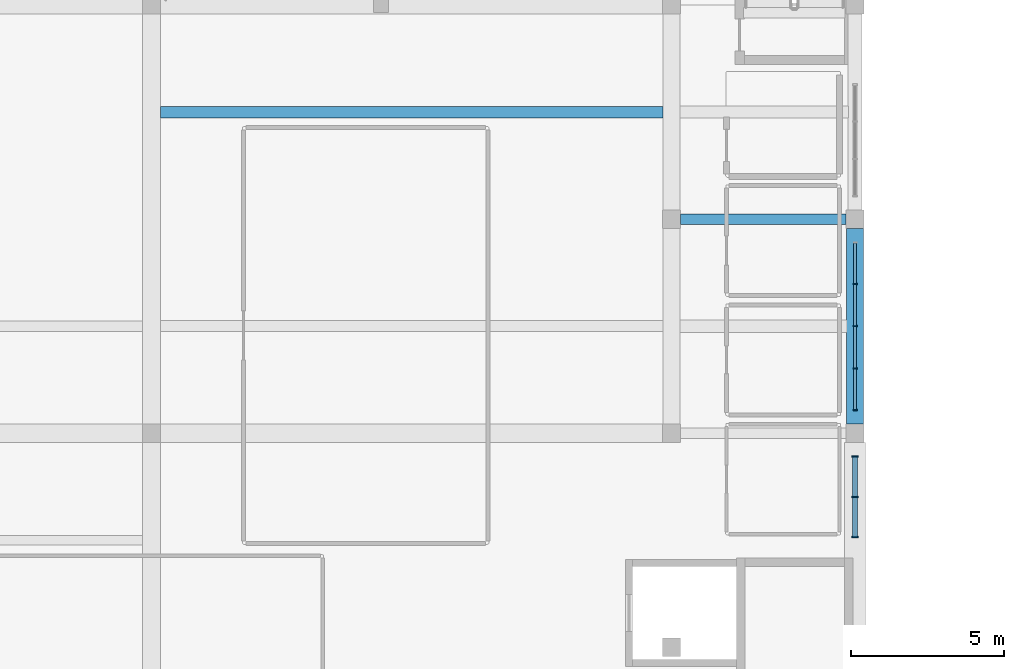
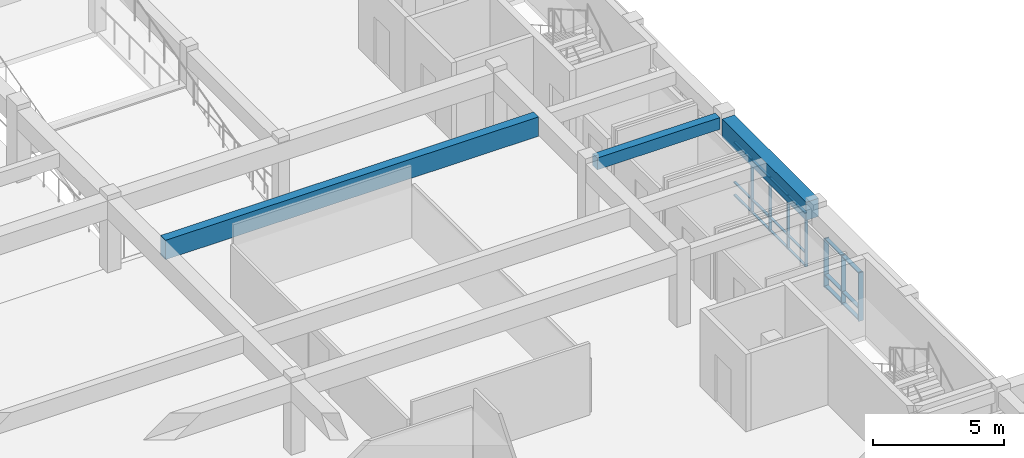
# One storey, part 11 of 33: 25 members, 3 beams, 2 elements without a shape of their own.
"""IFC4 building model written with IfcOpenShell, lengths in metres."""

from ifc_helpers import new_model, si_unit, direction, frame, origin, origin_2d, place, context, subcontext, project, spatial, rectangle, extrude, material, material_profile, profile_set, type_object, element, aggregate, save


model = new_model("IFC4")

# Units and contexts
model_context = context("Model", 3, precision=1e-05, world=origin(), true_north=direction((0.0, 1.0)))
body_context = subcontext(model_context, "Body", "Model", "MODEL_VIEW")
ifc_project = project(units=[si_unit("LENGTHUNIT", "METRE"), si_unit("AREAUNIT", "SQUARE_METRE"), si_unit("VOLUMEUNIT", "CUBIC_METRE"), si_unit("PLANEANGLEUNIT", "RADIAN"), si_unit("MASSUNIT", "GRAM", prefix="KILO")], contexts=[model_context])

# Site, building, storey
site_placement = place(None, origin())
site = spatial("IfcSite", under=ifc_project, at=site_placement, CompositionType="ELEMENT")
building_placement = place(site_placement, origin())
building = spatial("IfcBuilding", under=site, at=building_placement, Name="Larkveld Mobility Hub", CompositionType="ELEMENT")
storey_placement = place(building_placement, frame((0.0, 0.0, 15.60009765625)))
storey = spatial("IfcBuildingStorey", under=building, at=storey_placement, Name="L04", CompositionType="ELEMENT", Elevation=15.60009765625)

# Beams
ifc_material_1 = material(Name="Precast concrete C50/60", Category="concrete")
ifc_material_profile_1 = material_profile(ifc_material_1, rectangle(XDim=0.3798828125, YDim=0.89990234375, at=origin_2d()), Name="PC DT 380x900")
ifc_profile_set_1 = profile_set([ifc_material_profile_1], Name="Precast concrete C50/60")
beam_type_1 = type_object("IfcBeamType", Name="BM-DT3890", PredefinedType="T_BEAM", material=ifc_profile_set_1)
beam_1_placement = place(storey_placement, frame((129.294921875, 52.5, 2.919921875), z_axis=(1.0, 0.0, 0.0), x_axis=(0.0, 1.0, 0.0)))
element("IfcBeam", 1, at=beam_1_placement, inside=storey, type_object=beam_type_1, Name="Precast Double-Tee Stem L04-1135", PredefinedType="T_BEAM", context=body_context, shape_type="SweptSolid", body=[
    extrude(rectangle(XDim=0.3798828125, YDim=0.89990234375, at=origin_2d()), origin(), (0.0, 0.0, 1.0), 16.43505859375),
])
ifc_material_2 = material(Name="Concrete C40/50", Category="concrete")
ifc_material_profile_2 = material_profile(ifc_material_2, rectangle(XDim=0.35009765625, YDim=0.550048828125, at=origin_2d()), Name="RC BM 350x550")
ifc_profile_set_2 = profile_set([ifc_material_profile_2], Name="Concrete C40/50")
beam_type_2 = type_object("IfcBeamType", Name="BM-RC3555", PredefinedType="BEAM", material=ifc_profile_set_2)
beam_2_placement = place(storey_placement, frame((146.300048828125, 49.0, 3.0849609375), z_axis=(1.0, 0.0, 0.0), x_axis=(0.0, 1.0, 0.0)))
element("IfcBeam", 2, at=beam_2_placement, inside=storey, type_object=beam_type_2, Name="Primary E-W Girder L04-0881", PredefinedType="BEAM", context=body_context, shape_type="SweptSolid", body=[
    extrude(rectangle(XDim=0.35009765625, YDim=0.550048828125, at=origin_2d()), origin(), (0.0, 0.0, 1.0), 5.39990234375),
])
ifc_material_profile_3 = material_profile(ifc_material_2, rectangle(XDim=0.550048828125, YDim=0.85009765625, at=origin_2d()), Name="RC BM 550x850")
ifc_profile_set_3 = profile_set([ifc_material_profile_3], Name="Concrete C40/50")
beam_type_3 = type_object("IfcBeamType", Name="BM-RC5585", PredefinedType="BEAM", material=ifc_profile_set_3)
beam_3_placement = place(storey_placement, frame((152.0, 42.300048828125, 2.934814453125), z_axis=(0.0, 1.0, 0.0), x_axis=(-1.0, 0.0, 0.0)))
element("IfcBeam", 3, at=beam_3_placement, inside=storey, type_object=beam_type_3, Name="Primary N-S Girder L04-0935", PredefinedType="BEAM", context=body_context, shape_type="SweptSolid", body=[
    extrude(rectangle(XDim=0.550048828125, YDim=0.85009765625, at=origin_2d()), origin(), (0.0, 0.0, 1.0), 6.39990234375),
])

# Curtain wall, members
ifc_material_3 = material(Name="Anodised aluminium 6063-T6", Category="aluminium")
curtain_wall_type_1 = type_object("IfcCurtainWallType", Name="CW-SYS-11", PredefinedType="NOTDEFINED", material=ifc_material_3)
curtain_wall_1_placement = place(storey_placement, origin())
curtain_wall_1 = element("IfcCurtainWall", 4, at=curtain_wall_1_placement, inside=storey, type_object=curtain_wall_type_1, Name="Upper Mobility and Sports East Glazing L04 CW-155", PredefinedType="NOTDEFINED")
ifc_material_profile_4 = material_profile(ifc_material_3, rectangle(XDim=0.050048828125, YDim=0.2099609375, at=origin_2d()), Name="ALU MULL 50x210")
ifc_profile_set_4 = profile_set([ifc_material_profile_4], Name="Anodised aluminium 6063-T6")
member_type_1 = type_object("IfcMemberType", Name="CW-MUL-03", PredefinedType="MULLION", material=ifc_profile_set_4)
member_1_placement = place(storey_placement, frame((152.0, 38.60498046875, -0.002197265625), z_axis=(0.0, 0.0, 1.0), x_axis=(0.0, 1.0, 0.0)))
member_1 = element("IfcMember", 5, at=member_1_placement, type_object=member_type_1, Name="CW11 mullion 1", PredefinedType="MULLION", context=body_context, shape_type="SweptSolid", body=[
    extrude(rectangle(XDim=0.050048828125, YDim=0.2099609375, at=origin_2d()), origin(), (0.0, 0.0, 1.0), 2.26220703125),
])
member_2_placement = place(storey_placement, frame((152.0, 39.919921875, -0.002197265625), z_axis=(0.0, 0.0, 1.0), x_axis=(0.0, 1.0, 0.0)))
member_2 = element("IfcMember", 6, at=member_2_placement, type_object=member_type_1, Name="CW11 mullion 2", PredefinedType="MULLION", context=body_context, shape_type="SweptSolid", body=[
    extrude(rectangle(XDim=0.050048828125, YDim=0.2099609375, at=origin_2d()), origin(), (0.0, 0.0, 1.0), 2.26220703125),
])
member_3_placement = place(storey_placement, frame((152.0, 41.235107421875, -0.002197265625), z_axis=(0.0, 0.0, 1.0), x_axis=(0.0, 1.0, 0.0)))
member_3 = element("IfcMember", 7, at=member_3_placement, type_object=member_type_1, Name="CW11 mullion 3", PredefinedType="MULLION", context=body_context, shape_type="SweptSolid", body=[
    extrude(rectangle(XDim=0.050048828125, YDim=0.2099609375, at=origin_2d()), origin(), (0.0, 0.0, 1.0), 2.26220703125),
])

curtain_wall_type_2 = type_object("IfcCurtainWallType", Name="CW-SYS-12", PredefinedType="NOTDEFINED", material=ifc_material_3)
curtain_wall_2_placement = place(storey_placement, origin())
curtain_wall_2 = element("IfcCurtainWall", 8, at=curtain_wall_2_placement, inside=storey, type_object=curtain_wall_type_2, Name="Upper Mobility and Sports East Glazing L04 CW-156", PredefinedType="NOTDEFINED")
ifc_material_profile_5 = material_profile(ifc_material_3, rectangle(XDim=0.050048828125, YDim=0.1298828125, at=origin_2d()), Name="ALU MULL 50x130")
ifc_profile_set_5 = profile_set([ifc_material_profile_5], Name="Anodised aluminium 6063-T6")
member_type_2 = type_object("IfcMemberType", Name="CW-MUL-04", PredefinedType="MULLION", material=ifc_profile_set_5)
member_4_placement = place(storey_placement, frame((152.0, 42.764892578125, -0.002197265625), z_axis=(0.0, 0.0, 1.0), x_axis=(0.0, 1.0, 0.0)))
member_4 = element("IfcMember", 9, at=member_4_placement, type_object=member_type_2, Name="CW12 mullion 1", PredefinedType="MULLION", context=body_context, shape_type="SweptSolid", body=[
    extrude(rectangle(XDim=0.050048828125, YDim=0.1298828125, at=origin_2d()), origin(), (0.0, 0.0, 1.0), 2.51220703125),
])
member_5_placement = place(storey_placement, frame((152.0, 44.1201171875, -0.002197265625), z_axis=(0.0, 0.0, 1.0), x_axis=(0.0, 1.0, 0.0)))
member_5 = element("IfcMember", 10, at=member_5_placement, type_object=member_type_2, Name="CW12 mullion 2", PredefinedType="MULLION", context=body_context, shape_type="SweptSolid", body=[
    extrude(rectangle(XDim=0.050048828125, YDim=0.1298828125, at=origin_2d()), origin(), (0.0, 0.0, 1.0), 2.51220703125),
])
member_6_placement = place(storey_placement, frame((152.0, 45.5, -0.002197265625), z_axis=(0.0, 0.0, 1.0), x_axis=(0.0, 1.0, 0.0)))
member_6 = element("IfcMember", 11, at=member_6_placement, type_object=member_type_2, Name="CW12 mullion 3", PredefinedType="MULLION", context=body_context, shape_type="SweptSolid", body=[
    extrude(rectangle(XDim=0.050048828125, YDim=0.1298828125, at=origin_2d()), origin(), (0.0, 0.0, 1.0), 2.51220703125),
])
member_7_placement = place(storey_placement, frame((152.0, 46.8798828125, -0.002197265625), z_axis=(0.0, 0.0, 1.0), x_axis=(0.0, 1.0, 0.0)))
member_7 = element("IfcMember", 12, at=member_7_placement, type_object=member_type_2, Name="CW12 mullion 4", PredefinedType="MULLION", context=body_context, shape_type="SweptSolid", body=[
    extrude(rectangle(XDim=0.050048828125, YDim=0.1298828125, at=origin_2d()), origin(), (0.0, 0.0, 1.0), 2.51220703125),
])

# Member
ifc_material_profile_6 = material_profile(ifc_material_3, rectangle(XDim=0.169921875, YDim=0.050048828125, at=origin_2d()), Name="ALU TRAN 50x170")
ifc_profile_set_6 = profile_set([ifc_material_profile_6], Name="Anodised aluminium 6063-T6")
member_type_3 = type_object("IfcMemberType", Name="CW-TRN-03", PredefinedType="USERDEFINED", material=ifc_profile_set_6)
member_8_placement = place(storey_placement, frame((152.0, 38.614990234375, 0.02978515625), z_axis=(0.0, 1.0, 0.0), x_axis=(-1.0, 0.0, 0.0)))
member_8 = element("IfcMember", 13, at=member_8_placement, type_object=member_type_3, Name="CW11 transom 1.1", ObjectType="TRANSOM", PredefinedType="USERDEFINED", context=body_context, shape_type="SweptSolid", body=[
    extrude(rectangle(XDim=0.169921875, YDim=0.050048828125, at=origin_2d()), origin(), (0.0, 0.0, 1.0), 1.2900390625),
])

member_9_placement = place(storey_placement, frame((152.0, 38.614990234375, 0.56494140625), z_axis=(0.0, 1.0, 0.0), x_axis=(-1.0, 0.0, 0.0)))
member_9 = element("IfcMember", 14, at=member_9_placement, type_object=member_type_3, Name="CW11 transom 1.2", ObjectType="TRANSOM", PredefinedType="USERDEFINED", context=body_context, shape_type="SweptSolid", body=[
    extrude(rectangle(XDim=0.169921875, YDim=0.050048828125, at=origin_2d()), origin(), (0.0, 0.0, 1.0), 1.2900390625),
])

member_10_placement = place(storey_placement, frame((152.0, 38.614990234375, 2.227783203125), z_axis=(0.0, 1.0, 0.0), x_axis=(-1.0, 0.0, 0.0)))
member_10 = element("IfcMember", 15, at=member_10_placement, type_object=member_type_3, Name="CW11 transom 1.3", ObjectType="TRANSOM", PredefinedType="USERDEFINED", context=body_context, shape_type="SweptSolid", body=[
    extrude(rectangle(XDim=0.169921875, YDim=0.050048828125, at=origin_2d()), origin(), (0.0, 0.0, 1.0), 1.2900390625),
])

member_11_placement = place(storey_placement, frame((152.0, 39.93505859375, 0.02978515625), z_axis=(0.0, 1.0, 0.0), x_axis=(-1.0, 0.0, 0.0)))
member_11 = element("IfcMember", 16, at=member_11_placement, type_object=member_type_3, Name="CW11 transom 2.1", ObjectType="TRANSOM", PredefinedType="USERDEFINED", context=body_context, shape_type="SweptSolid", body=[
    extrude(rectangle(XDim=0.169921875, YDim=0.050048828125, at=origin_2d()), origin(), (0.0, 0.0, 1.0), 1.2900390625),
])

member_12_placement = place(storey_placement, frame((152.0, 39.93505859375, 0.56494140625), z_axis=(0.0, 1.0, 0.0), x_axis=(-1.0, 0.0, 0.0)))
member_12 = element("IfcMember", 17, at=member_12_placement, type_object=member_type_3, Name="CW11 transom 2.2", ObjectType="TRANSOM", PredefinedType="USERDEFINED", context=body_context, shape_type="SweptSolid", body=[
    extrude(rectangle(XDim=0.169921875, YDim=0.050048828125, at=origin_2d()), origin(), (0.0, 0.0, 1.0), 1.2900390625),
])

member_13_placement = place(storey_placement, frame((152.0, 39.93505859375, 2.227783203125), z_axis=(0.0, 1.0, 0.0), x_axis=(-1.0, 0.0, 0.0)))
member_13 = element("IfcMember", 18, at=member_13_placement, type_object=member_type_3, Name="CW11 transom 2.3", ObjectType="TRANSOM", PredefinedType="USERDEFINED", context=body_context, shape_type="SweptSolid", body=[
    extrude(rectangle(XDim=0.169921875, YDim=0.050048828125, at=origin_2d()), origin(), (0.0, 0.0, 1.0), 1.2900390625),
])

aggregate(curtain_wall_1, [member_1, member_2, member_3, member_8, member_9, member_10, member_11, member_12, member_13])

ifc_material_profile_7 = material_profile(ifc_material_3, rectangle(XDim=0.10009765625, YDim=0.050048828125, at=origin_2d()), Name="ALU TRAN 50x100")
ifc_profile_set_7 = profile_set([ifc_material_profile_7], Name="Anodised aluminium 6063-T6")
member_type_4 = type_object("IfcMemberType", Name="CW-TRN-04", PredefinedType="USERDEFINED", material=ifc_profile_set_7)
member_14_placement = place(storey_placement, frame((152.0, 42.77490234375, 0.02978515625), z_axis=(0.0, 1.0, 0.0), x_axis=(-1.0, 0.0, 0.0)))
member_14 = element("IfcMember", 19, at=member_14_placement, type_object=member_type_4, Name="CW12 transom 1.1", ObjectType="TRANSOM", PredefinedType="USERDEFINED", context=body_context, shape_type="SweptSolid", body=[
    extrude(rectangle(XDim=0.10009765625, YDim=0.050048828125, at=origin_2d()), origin(), (0.0, 0.0, 1.0), 1.330078125),
])

member_15_placement = place(storey_placement, frame((152.0, 42.77490234375, 0.626953125), z_axis=(0.0, 1.0, 0.0), x_axis=(-1.0, 0.0, 0.0)))
member_15 = element("IfcMember", 20, at=member_15_placement, type_object=member_type_4, Name="CW12 transom 1.2", ObjectType="TRANSOM", PredefinedType="USERDEFINED", context=body_context, shape_type="SweptSolid", body=[
    extrude(rectangle(XDim=0.10009765625, YDim=0.050048828125, at=origin_2d()), origin(), (0.0, 0.0, 1.0), 1.330078125),
])

member_16_placement = place(storey_placement, frame((152.0, 42.77490234375, 2.477783203125), z_axis=(0.0, 1.0, 0.0), x_axis=(-1.0, 0.0, 0.0)))
member_16 = element("IfcMember", 21, at=member_16_placement, type_object=member_type_4, Name="CW12 transom 1.3", ObjectType="TRANSOM", PredefinedType="USERDEFINED", context=body_context, shape_type="SweptSolid", body=[
    extrude(rectangle(XDim=0.10009765625, YDim=0.050048828125, at=origin_2d()), origin(), (0.0, 0.0, 1.0), 1.330078125),
])

member_17_placement = place(storey_placement, frame((152.0, 44.135009765625, 0.02978515625), z_axis=(0.0, 1.0, 0.0), x_axis=(-1.0, 0.0, 0.0)))
member_17 = element("IfcMember", 22, at=member_17_placement, type_object=member_type_4, Name="CW12 transom 2.1", ObjectType="TRANSOM", PredefinedType="USERDEFINED", context=body_context, shape_type="SweptSolid", body=[
    extrude(rectangle(XDim=0.10009765625, YDim=0.050048828125, at=origin_2d()), origin(), (0.0, 0.0, 1.0), 1.35009765625),
])

member_18_placement = place(storey_placement, frame((152.0, 44.135009765625, 0.626953125), z_axis=(0.0, 1.0, 0.0), x_axis=(-1.0, 0.0, 0.0)))
member_18 = element("IfcMember", 23, at=member_18_placement, type_object=member_type_4, Name="CW12 transom 2.2", ObjectType="TRANSOM", PredefinedType="USERDEFINED", context=body_context, shape_type="SweptSolid", body=[
    extrude(rectangle(XDim=0.10009765625, YDim=0.050048828125, at=origin_2d()), origin(), (0.0, 0.0, 1.0), 1.35009765625),
])

member_19_placement = place(storey_placement, frame((152.0, 44.135009765625, 2.477783203125), z_axis=(0.0, 1.0, 0.0), x_axis=(-1.0, 0.0, 0.0)))
member_19 = element("IfcMember", 24, at=member_19_placement, type_object=member_type_4, Name="CW12 transom 2.3", ObjectType="TRANSOM", PredefinedType="USERDEFINED", context=body_context, shape_type="SweptSolid", body=[
    extrude(rectangle(XDim=0.10009765625, YDim=0.050048828125, at=origin_2d()), origin(), (0.0, 0.0, 1.0), 1.35009765625),
])

member_20_placement = place(storey_placement, frame((152.0, 45.514892578125, 0.02978515625), z_axis=(0.0, 1.0, 0.0), x_axis=(-1.0, 0.0, 0.0)))
member_20 = element("IfcMember", 25, at=member_20_placement, type_object=member_type_4, Name="CW12 transom 3.1", ObjectType="TRANSOM", PredefinedType="USERDEFINED", context=body_context, shape_type="SweptSolid", body=[
    extrude(rectangle(XDim=0.10009765625, YDim=0.050048828125, at=origin_2d()), origin(), (0.0, 0.0, 1.0), 1.35009765625),
])

member_21_placement = place(storey_placement, frame((152.0, 45.514892578125, 0.626953125), z_axis=(0.0, 1.0, 0.0), x_axis=(-1.0, 0.0, 0.0)))
member_21 = element("IfcMember", 26, at=member_21_placement, type_object=member_type_4, Name="CW12 transom 3.2", ObjectType="TRANSOM", PredefinedType="USERDEFINED", context=body_context, shape_type="SweptSolid", body=[
    extrude(rectangle(XDim=0.10009765625, YDim=0.050048828125, at=origin_2d()), origin(), (0.0, 0.0, 1.0), 1.35009765625),
])

member_22_placement = place(storey_placement, frame((152.0, 45.514892578125, 2.477783203125), z_axis=(0.0, 1.0, 0.0), x_axis=(-1.0, 0.0, 0.0)))
member_22 = element("IfcMember", 27, at=member_22_placement, type_object=member_type_4, Name="CW12 transom 3.3", ObjectType="TRANSOM", PredefinedType="USERDEFINED", context=body_context, shape_type="SweptSolid", body=[
    extrude(rectangle(XDim=0.10009765625, YDim=0.050048828125, at=origin_2d()), origin(), (0.0, 0.0, 1.0), 1.35009765625),
])

member_23_placement = place(storey_placement, frame((152.0, 46.89501953125, 0.02978515625), z_axis=(0.0, 1.0, 0.0), x_axis=(-1.0, 0.0, 0.0)))
member_23 = element("IfcMember", 28, at=member_23_placement, type_object=member_type_4, Name="CW12 transom 4.1", ObjectType="TRANSOM", PredefinedType="USERDEFINED", context=body_context, shape_type="SweptSolid", body=[
    extrude(rectangle(XDim=0.10009765625, YDim=0.050048828125, at=origin_2d()), origin(), (0.0, 0.0, 1.0), 1.330078125),
])

member_24_placement = place(storey_placement, frame((152.0, 46.89501953125, 0.626953125), z_axis=(0.0, 1.0, 0.0), x_axis=(-1.0, 0.0, 0.0)))
member_24 = element("IfcMember", 29, at=member_24_placement, type_object=member_type_4, Name="CW12 transom 4.2", ObjectType="TRANSOM", PredefinedType="USERDEFINED", context=body_context, shape_type="SweptSolid", body=[
    extrude(rectangle(XDim=0.10009765625, YDim=0.050048828125, at=origin_2d()), origin(), (0.0, 0.0, 1.0), 1.330078125),
])

member_25_placement = place(storey_placement, frame((152.0, 46.89501953125, 2.477783203125), z_axis=(0.0, 1.0, 0.0), x_axis=(-1.0, 0.0, 0.0)))
member_25 = element("IfcMember", 30, at=member_25_placement, type_object=member_type_4, Name="CW12 transom 4.3", ObjectType="TRANSOM", PredefinedType="USERDEFINED", context=body_context, shape_type="SweptSolid", body=[
    extrude(rectangle(XDim=0.10009765625, YDim=0.050048828125, at=origin_2d()), origin(), (0.0, 0.0, 1.0), 1.330078125),
])

aggregate(curtain_wall_2, [member_4, member_5, member_6, member_7, member_14, member_15, member_16, member_17, member_18, member_19, member_20, member_21, member_22, member_23, member_24, member_25])

save(model, "model.ifc")
